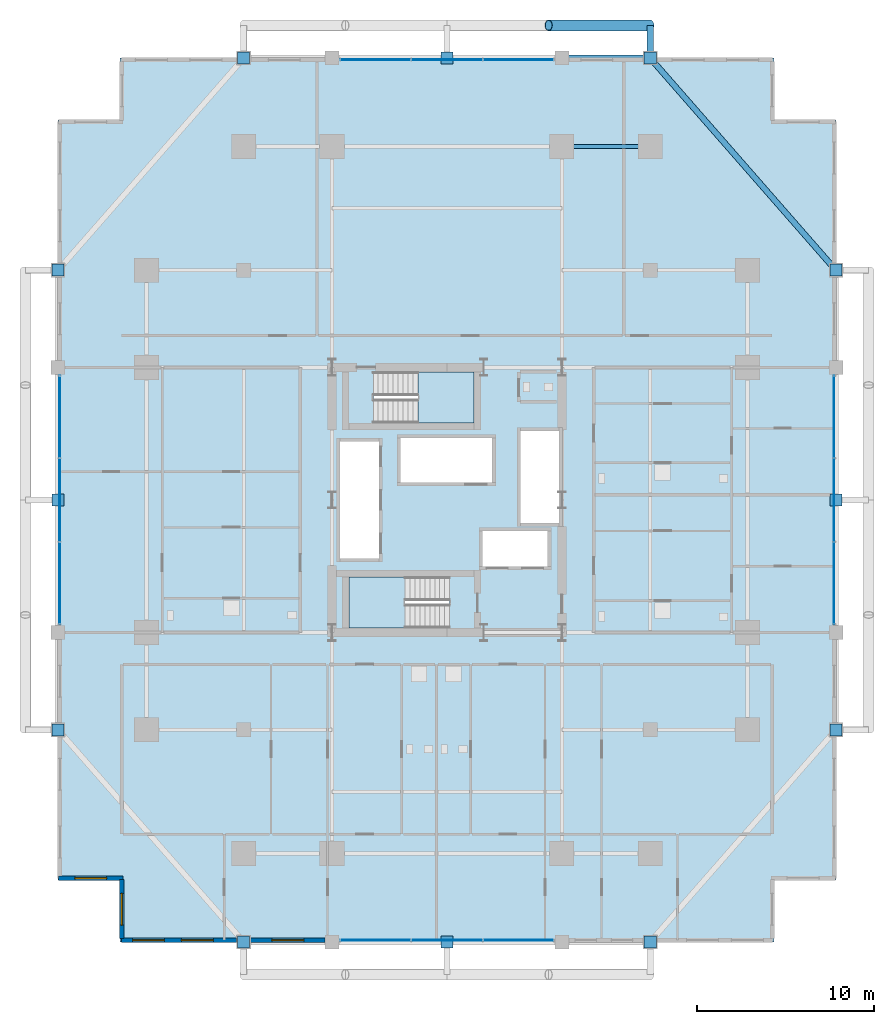
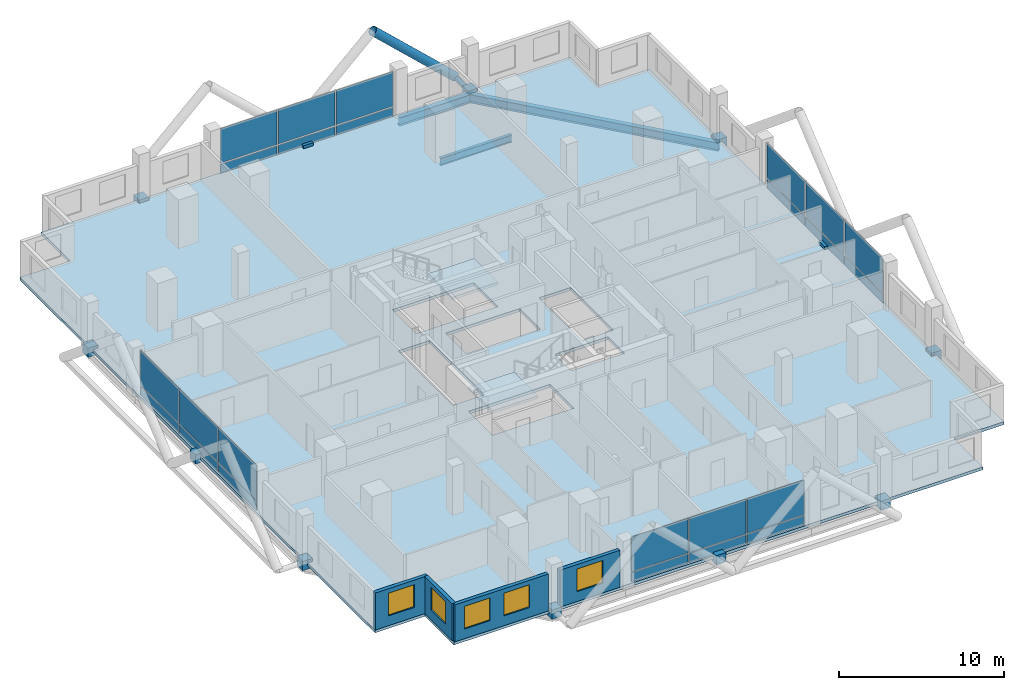
# One storey, part 20 of 27: 36 plates, 5 windows, 4 walls, 3 beams, 3 slabs, 2 members, 5 openings, 6 elements without a shape of their own.
"""IFC4 building model written with IfcOpenShell, lengths in metres."""

from ifc_helpers import new_model, si_unit, direction, frame, frame_2d, origin, origin_2d, place, context, subcontext, project, spatial, polyline, rectangle, hollow_circle, i_section, outline, extrude, material, layer, layer_set, material_profile, profile_set, type_object, element, fill, aggregate, save


model = new_model("IFC4")

# Units and contexts
model_context = context("Model", 3, precision=1e-05, world=origin(), true_north=direction((0.0, 1.0)))
body_context = subcontext(model_context, "Body", "Model", "MODEL_VIEW")
ifc_project = project(units=[si_unit("LENGTHUNIT", "METRE"), si_unit("AREAUNIT", "SQUARE_METRE"), si_unit("VOLUMEUNIT", "CUBIC_METRE"), si_unit("PLANEANGLEUNIT", "RADIAN"), si_unit("MASSUNIT", "GRAM", prefix="KILO")], contexts=[model_context])

# Site, building, storey
site_placement = place(None, origin())
site = spatial("IfcSite", under=ifc_project, at=site_placement, CompositionType="ELEMENT")
building_placement = place(site_placement, origin())
building = spatial("IfcBuilding", under=site, at=building_placement, Name="Barlavira Tower and Art Museum", CompositionType="ELEMENT")
storey_placement = place(building_placement, frame((0.0, 0.0, 72.0)))
storey = spatial("IfcBuildingStorey", under=building, at=storey_placement, Name="L17", CompositionType="ELEMENT", Elevation=72.0)

# Members
ifc_material_1 = material(Name="Steel S355", Category="steel")
ifc_material_profile_1 = material_profile(ifc_material_1, hollow_circle(Radius=0.304931640625, WallThickness=0.028076171875, at=origin_2d()), Name="CHS 610.0x28.0")
ifc_profile_set_1 = profile_set([ifc_material_profile_1], Name="Steel S355")
member_type_1 = type_object("IfcMemberType", Name="Pale-Metal Exoskeleton Diagrid Tube CHS 610x28 Steel S355", PredefinedType="BRACE", material=ifc_profile_set_1)
member_1_placement = place(storey_placement, frame((11.5, 26.85009765625, -0.1201171875), z_axis=(-0.728934650808, 0.0, 0.684583285548), x_axis=(0.0, -1.0, 0.0)))
element("IfcMember", 1, at=member_1_placement, inside=storey, type_object=member_type_1, Name="L17 Exoskeleton Diagrid Tube N", PredefinedType="BRACE", context=body_context, shape_type="SweptSolid", body=[
    extrude(hollow_circle(Radius=0.304931640625, WallThickness=0.028076171875, at=origin_2d()), origin(), (0.0, 0.0, 1.0), 7.88818359375),
])
ifc_material_profile_2 = material_profile(ifc_material_1, hollow_circle(Radius=0.177734375, WallThickness=0.01611328125, at=origin_2d()), Name="CHS 355.6x16.0")
ifc_profile_set_2 = profile_set([ifc_material_profile_2], Name="Steel S355")
member_type_2 = type_object("IfcMemberType", Name="Pale-Metal Exoskeleton Tie Strut CHS 356x16 Steel S355", PredefinedType="STRUT", material=ifc_profile_set_2)
member_2_placement = place(storey_placement, frame((11.5, 26.85009765625, -0.1201171875), z_axis=(0.0, -1.0, 0.0), x_axis=(1.0, 0.0, 0.0)))
element("IfcMember", 2, at=member_2_placement, inside=storey, type_object=member_type_2, Name="L17 Exoskeleton Tie Strut N3", PredefinedType="STRUT", context=body_context, shape_type="SweptSolid", body=[
    extrude(hollow_circle(Radius=0.177734375, WallThickness=0.01611328125, at=origin_2d()), origin(), (0.0, 0.0, 1.0), 1.85009765625),
])

# Beams
ifc_material_profile_3 = material_profile(ifc_material_1, i_section(OverallWidth=0.327880859375, OverallDepth=0.62890625, WebThickness=0.013916015625, FlangeThickness=0.021484375, at=origin_2d()), Name="W610x174.0")
ifc_profile_set_3 = profile_set([ifc_material_profile_3], Name="Steel S355")
beam_type_1 = type_object("IfcBeamType", Name="Perimeter Spandrel Edge Beam W610x174 Steel S355", PredefinedType="SPANDREL", material=ifc_profile_set_3)
beam_1_placement = place(storey_placement, frame((22.0, 13.0, -0.534423828125), z_axis=(-0.658504607869, 0.752576694707, 0.0), x_axis=(-0.752576694707, -0.658504607869, 0.0)))
element("IfcBeam", 3, at=beam_1_placement, inside=storey, type_object=beam_type_1, Name="L17 Spandrel 8", PredefinedType="SPANDREL", context=body_context, shape_type="SweptSolid", body=[
    extrude(i_section(OverallWidth=0.327880859375, OverallDepth=0.62890625, WebThickness=0.013916015625, FlangeThickness=0.021484375, at=origin_2d()), origin(), (0.0, 0.0, 1.0), 15.9453125),
])
beam_2_placement = place(storey_placement, frame((6.5, 25.0, -0.534423828125), z_axis=(1.0, 0.0, 0.0), x_axis=(0.0, 1.0, 0.0)))
element("IfcBeam", 4, at=beam_2_placement, inside=storey, type_object=beam_type_1, Name="L17 Spandrel 9", PredefinedType="SPANDREL", context=body_context, shape_type="SweptSolid", body=[
    extrude(i_section(OverallWidth=0.327880859375, OverallDepth=0.62890625, WebThickness=0.013916015625, FlangeThickness=0.021484375, at=origin_2d()), origin(), (0.0, 0.0, 1.0), 5.0),
])
ifc_material_profile_4 = material_profile(ifc_material_1, i_section(OverallWidth=0.214111328125, OverallDepth=0.549072265625, WebThickness=0.0146484375, FlangeThickness=0.023681640625, at=origin_2d()), Name="W530x138.0")
ifc_profile_set_4 = profile_set([ifc_material_profile_4], Name="Steel S355")
beam_type_2 = type_object("IfcBeamType", Name="Zone 1 Primary Floor Girder W530x138 Steel S355", PredefinedType="BEAM", material=ifc_profile_set_4)
beam_3_placement = place(storey_placement, frame((6.5, 20.0, -0.494384765625), z_axis=(1.0, 0.0, 0.0), x_axis=(0.0, 1.0, 0.0)))
element("IfcBeam", 5, at=beam_3_placement, inside=storey, type_object=beam_type_2, Name="L17 Girder M-N3", PredefinedType="BEAM", context=body_context, shape_type="SweptSolid", body=[
    extrude(i_section(OverallWidth=0.214111328125, OverallDepth=0.549072265625, WebThickness=0.0146484375, FlangeThickness=0.023681640625, at=origin_2d()), origin(), (0.0, 0.0, 1.0), 5.0),
])

# Curtain wall, plates
ifc_material_2 = material(Name="Low-iron coastal laminated glass", Category="glass")
ifc_layer_1 = layer(ifc_material_2, 0.179931640625, Name="Low-iron coastal laminated glass")
ifc_layer_set_1 = layer_set([ifc_layer_1], Name="Low-iron coastal laminated glass")
curtain_wall_type = type_object("IfcCurtainWallType", Name="Pale-Metal Unitised Curtain Wall Zone 1", PredefinedType="NOTDEFINED", material=ifc_layer_set_1)
curtain_wall_1_placement = place(storey_placement, origin())
curtain_wall_1 = element("IfcCurtainWall", 6, at=curtain_wall_1_placement, inside=storey, type_object=curtain_wall_type, Name="L17 Curtain Wall CW1-L17-S-B3", PredefinedType="NOTDEFINED")
ifc_material_3 = material(Name="Pale anodised aluminium", Category="aluminium")
ifc_layer_2 = layer(ifc_material_3, 0.044921875, Name="Pale anodised aluminium")
ifc_layer_set_2 = layer_set([ifc_layer_2], Name="Pale anodised aluminium")
plate_type_1 = type_object("IfcPlateType", Name="Curtain Wall Pale-Metal Spandrel Panel 45", PredefinedType="CURTAIN_PANEL", material=ifc_layer_set_2)
plate_1_placement = place(storey_placement, frame((-4.05322265625, -24.89990234375, 0.0400390625), z_axis=(0.0, 0.0, 1.0), x_axis=(1.0, 0.0, 0.0)))
plate_1 = element("IfcPlate", 7, at=plate_1_placement, type_object=plate_type_1, Name="CW1-L17-S-B3 Spandrel Panel 0", PredefinedType="CURTAIN_PANEL", context=body_context, shape_type="SweptSolid", body=[
    extrude(rectangle(XDim=3.953369140625, YDim=0.044921875, at=origin_2d()), origin(), (0.0, 0.0, 1.0), 0.6640625),
])
plate_2_placement = place(storey_placement, frame((0.0, -24.89990234375, 0.0400390625), z_axis=(0.0, 0.0, 1.0), x_axis=(1.0, 0.0, 0.0)))
plate_2 = element("IfcPlate", 8, at=plate_2_placement, type_object=plate_type_1, Name="CW1-L17-S-B3 Spandrel Panel 1", PredefinedType="CURTAIN_PANEL", context=body_context, shape_type="SweptSolid", body=[
    extrude(rectangle(XDim=3.953369140625, YDim=0.044921875, at=origin_2d()), origin(), (0.0, 0.0, 1.0), 0.6640625),
])
plate_3_placement = place(storey_placement, frame((4.05322265625, -24.89990234375, 0.0400390625), z_axis=(0.0, 0.0, 1.0), x_axis=(1.0, 0.0, 0.0)))
plate_3 = element("IfcPlate", 9, at=plate_3_placement, type_object=plate_type_1, Name="CW1-L17-S-B3 Spandrel Panel 2", PredefinedType="CURTAIN_PANEL", context=body_context, shape_type="SweptSolid", body=[
    extrude(rectangle(XDim=3.953369140625, YDim=0.044921875, at=origin_2d()), origin(), (0.0, 0.0, 1.0), 0.6640625),
])

curtain_wall_2_placement = place(storey_placement, origin())
curtain_wall_2 = element("IfcCurtainWall", 10, at=curtain_wall_2_placement, inside=storey, type_object=curtain_wall_type, Name="L17 Curtain Wall CW1-L17-N-B3", PredefinedType="NOTDEFINED")
plate_4_placement = place(storey_placement, frame((4.05322265625, 24.89990234375, 0.0400390625), z_axis=(0.0, 0.0, 1.0), x_axis=(-1.0, 0.0, 0.0)))
plate_4 = element("IfcPlate", 11, at=plate_4_placement, type_object=plate_type_1, Name="CW1-L17-N-B3 Spandrel Panel 0", PredefinedType="CURTAIN_PANEL", context=body_context, shape_type="SweptSolid", body=[
    extrude(rectangle(XDim=3.953369140625, YDim=0.044921875, at=origin_2d()), origin(), (0.0, 0.0, 1.0), 0.6640625),
])
plate_5_placement = place(storey_placement, frame((0.0, 24.89990234375, 0.0400390625), z_axis=(0.0, 0.0, 1.0), x_axis=(-1.0, 0.0, 0.0)))
plate_5 = element("IfcPlate", 12, at=plate_5_placement, type_object=plate_type_1, Name="CW1-L17-N-B3 Spandrel Panel 1", PredefinedType="CURTAIN_PANEL", context=body_context, shape_type="SweptSolid", body=[
    extrude(rectangle(XDim=3.953369140625, YDim=0.044921875, at=origin_2d()), origin(), (0.0, 0.0, 1.0), 0.6640625),
])
plate_6_placement = place(storey_placement, frame((-4.05322265625, 24.89990234375, 0.0400390625), z_axis=(0.0, 0.0, 1.0), x_axis=(-1.0, 0.0, 0.0)))
plate_6 = element("IfcPlate", 13, at=plate_6_placement, type_object=plate_type_1, Name="CW1-L17-N-B3 Spandrel Panel 2", PredefinedType="CURTAIN_PANEL", context=body_context, shape_type="SweptSolid", body=[
    extrude(rectangle(XDim=3.953369140625, YDim=0.044921875, at=origin_2d()), origin(), (0.0, 0.0, 1.0), 0.6640625),
])

curtain_wall_3_placement = place(storey_placement, origin())
curtain_wall_3 = element("IfcCurtainWall", 14, at=curtain_wall_3_placement, inside=storey, type_object=curtain_wall_type, Name="L17 Curtain Wall CW1-L17-W-B3", PredefinedType="NOTDEFINED")
plate_7_placement = place(storey_placement, frame((-21.89990234375, 4.719970703125, 0.0400390625), z_axis=(0.0, 0.0, 1.0), x_axis=(0.0, -1.0, 0.0)))
plate_7 = element("IfcPlate", 15, at=plate_7_placement, type_object=plate_type_1, Name="CW1-L17-W-B3 Spandrel Panel 0", PredefinedType="CURTAIN_PANEL", context=body_context, shape_type="SweptSolid", body=[
    extrude(rectangle(XDim=4.6201171875, YDim=0.044921875, at=origin_2d()), origin(), (0.0, 0.0, 1.0), 0.6640625),
])
plate_8_placement = place(storey_placement, frame((-21.89990234375, 0.0, 0.0400390625), z_axis=(0.0, 0.0, 1.0), x_axis=(0.0, -1.0, 0.0)))
plate_8 = element("IfcPlate", 16, at=plate_8_placement, type_object=plate_type_1, Name="CW1-L17-W-B3 Spandrel Panel 1", PredefinedType="CURTAIN_PANEL", context=body_context, shape_type="SweptSolid", body=[
    extrude(rectangle(XDim=4.6201171875, YDim=0.044921875, at=origin_2d()), origin(), (0.0, 0.0, 1.0), 0.6640625),
])
plate_9_placement = place(storey_placement, frame((-21.89990234375, -4.719970703125, 0.0400390625), z_axis=(0.0, 0.0, 1.0), x_axis=(0.0, -1.0, 0.0)))
plate_9 = element("IfcPlate", 17, at=plate_9_placement, type_object=plate_type_1, Name="CW1-L17-W-B3 Spandrel Panel 2", PredefinedType="CURTAIN_PANEL", context=body_context, shape_type="SweptSolid", body=[
    extrude(rectangle(XDim=4.6201171875, YDim=0.044921875, at=origin_2d()), origin(), (0.0, 0.0, 1.0), 0.6640625),
])

curtain_wall_4_placement = place(storey_placement, origin())
curtain_wall_4 = element("IfcCurtainWall", 18, at=curtain_wall_4_placement, inside=storey, type_object=curtain_wall_type, Name="L17 Curtain Wall CW1-L17-E-B3", PredefinedType="NOTDEFINED")
plate_10_placement = place(storey_placement, frame((21.89990234375, -4.719970703125, 0.0400390625), z_axis=(0.0, 0.0, 1.0), x_axis=(0.0, 1.0, 0.0)))
plate_10 = element("IfcPlate", 19, at=plate_10_placement, type_object=plate_type_1, Name="CW1-L17-E-B3 Spandrel Panel 0", PredefinedType="CURTAIN_PANEL", context=body_context, shape_type="SweptSolid", body=[
    extrude(rectangle(XDim=4.6201171875, YDim=0.044921875, at=origin_2d()), origin(), (0.0, 0.0, 1.0), 0.6640625),
])
plate_11_placement = place(storey_placement, frame((21.89990234375, 0.0, 0.0400390625), z_axis=(0.0, 0.0, 1.0), x_axis=(0.0, 1.0, 0.0)))
plate_11 = element("IfcPlate", 20, at=plate_11_placement, type_object=plate_type_1, Name="CW1-L17-E-B3 Spandrel Panel 1", PredefinedType="CURTAIN_PANEL", context=body_context, shape_type="SweptSolid", body=[
    extrude(rectangle(XDim=4.6201171875, YDim=0.044921875, at=origin_2d()), origin(), (0.0, 0.0, 1.0), 0.6640625),
])
plate_12_placement = place(storey_placement, frame((21.89990234375, 4.719970703125, 0.0400390625), z_axis=(0.0, 0.0, 1.0), x_axis=(0.0, 1.0, 0.0)))
plate_12 = element("IfcPlate", 21, at=plate_12_placement, type_object=plate_type_1, Name="CW1-L17-E-B3 Spandrel Panel 2", PredefinedType="CURTAIN_PANEL", context=body_context, shape_type="SweptSolid", body=[
    extrude(rectangle(XDim=4.6201171875, YDim=0.044921875, at=origin_2d()), origin(), (0.0, 0.0, 1.0), 0.6640625),
])

# Plate
ifc_layer_3 = layer(ifc_material_2, 0.028076171875, Name="Low-iron coastal laminated glass")
ifc_layer_set_3 = layer_set([ifc_layer_3], Name="Low-iron coastal laminated glass")
plate_type_2 = type_object("IfcPlateType", Name="Curtain Wall Vision Glazing Panel 28", PredefinedType="CURTAIN_PANEL", material=ifc_layer_set_3)
plate_13_placement = place(storey_placement, frame((-4.05322265625, -24.89990234375, 0.7841796875), z_axis=(0.0, 0.0, 1.0), x_axis=(1.0, 0.0, 0.0)))
plate_13 = element("IfcPlate", 22, at=plate_13_placement, type_object=plate_type_2, Name="CW1-L17-S-B3 Vision Glass Panel 0", PredefinedType="CURTAIN_PANEL", context=body_context, shape_type="SweptSolid", body=[
    extrude(rectangle(XDim=3.953369140625, YDim=0.028076171875, at=origin_2d()), origin(), (0.0, 0.0, 1.0), 2.555908203125),
])

plate_14_placement = place(storey_placement, frame((0.0, -24.89990234375, 0.7841796875), z_axis=(0.0, 0.0, 1.0), x_axis=(1.0, 0.0, 0.0)))
plate_14 = element("IfcPlate", 23, at=plate_14_placement, type_object=plate_type_2, Name="CW1-L17-S-B3 Vision Glass Panel 1", PredefinedType="CURTAIN_PANEL", context=body_context, shape_type="SweptSolid", body=[
    extrude(rectangle(XDim=3.953369140625, YDim=0.028076171875, at=origin_2d()), origin(), (0.0, 0.0, 1.0), 2.555908203125),
])

plate_15_placement = place(storey_placement, frame((4.05322265625, -24.89990234375, 0.7841796875), z_axis=(0.0, 0.0, 1.0), x_axis=(1.0, 0.0, 0.0)))
plate_15 = element("IfcPlate", 24, at=plate_15_placement, type_object=plate_type_2, Name="CW1-L17-S-B3 Vision Glass Panel 2", PredefinedType="CURTAIN_PANEL", context=body_context, shape_type="SweptSolid", body=[
    extrude(rectangle(XDim=3.953369140625, YDim=0.028076171875, at=origin_2d()), origin(), (0.0, 0.0, 1.0), 2.555908203125),
])

aggregate(curtain_wall_1, [plate_1, plate_13, plate_2, plate_14, plate_3, plate_15])

plate_16_placement = place(storey_placement, frame((4.05322265625, 24.89990234375, 0.7841796875), z_axis=(0.0, 0.0, 1.0), x_axis=(-1.0, 0.0, 0.0)))
plate_16 = element("IfcPlate", 25, at=plate_16_placement, type_object=plate_type_2, Name="CW1-L17-N-B3 Vision Glass Panel 0", PredefinedType="CURTAIN_PANEL", context=body_context, shape_type="SweptSolid", body=[
    extrude(rectangle(XDim=3.953369140625, YDim=0.028076171875, at=origin_2d()), origin(), (0.0, 0.0, 1.0), 2.555908203125),
])

plate_17_placement = place(storey_placement, frame((0.0, 24.89990234375, 0.7841796875), z_axis=(0.0, 0.0, 1.0), x_axis=(-1.0, 0.0, 0.0)))
plate_17 = element("IfcPlate", 26, at=plate_17_placement, type_object=plate_type_2, Name="CW1-L17-N-B3 Vision Glass Panel 1", PredefinedType="CURTAIN_PANEL", context=body_context, shape_type="SweptSolid", body=[
    extrude(rectangle(XDim=3.953369140625, YDim=0.028076171875, at=origin_2d()), origin(), (0.0, 0.0, 1.0), 2.555908203125),
])

plate_18_placement = place(storey_placement, frame((-4.05322265625, 24.89990234375, 0.7841796875), z_axis=(0.0, 0.0, 1.0), x_axis=(-1.0, 0.0, 0.0)))
plate_18 = element("IfcPlate", 27, at=plate_18_placement, type_object=plate_type_2, Name="CW1-L17-N-B3 Vision Glass Panel 2", PredefinedType="CURTAIN_PANEL", context=body_context, shape_type="SweptSolid", body=[
    extrude(rectangle(XDim=3.953369140625, YDim=0.028076171875, at=origin_2d()), origin(), (0.0, 0.0, 1.0), 2.555908203125),
])

aggregate(curtain_wall_2, [plate_4, plate_16, plate_5, plate_17, plate_6, plate_18])

plate_19_placement = place(storey_placement, frame((-21.89990234375, 4.719970703125, 0.7841796875), z_axis=(0.0, 0.0, 1.0), x_axis=(0.0, -1.0, 0.0)))
plate_19 = element("IfcPlate", 28, at=plate_19_placement, type_object=plate_type_2, Name="CW1-L17-W-B3 Vision Glass Panel 0", PredefinedType="CURTAIN_PANEL", context=body_context, shape_type="SweptSolid", body=[
    extrude(rectangle(XDim=4.6201171875, YDim=0.028076171875, at=origin_2d()), origin(), (0.0, 0.0, 1.0), 2.555908203125),
])

plate_20_placement = place(storey_placement, frame((-21.89990234375, 0.0, 0.7841796875), z_axis=(0.0, 0.0, 1.0), x_axis=(0.0, -1.0, 0.0)))
plate_20 = element("IfcPlate", 29, at=plate_20_placement, type_object=plate_type_2, Name="CW1-L17-W-B3 Vision Glass Panel 1", PredefinedType="CURTAIN_PANEL", context=body_context, shape_type="SweptSolid", body=[
    extrude(rectangle(XDim=4.6201171875, YDim=0.028076171875, at=origin_2d()), origin(), (0.0, 0.0, 1.0), 2.555908203125),
])

plate_21_placement = place(storey_placement, frame((-21.89990234375, -4.719970703125, 0.7841796875), z_axis=(0.0, 0.0, 1.0), x_axis=(0.0, -1.0, 0.0)))
plate_21 = element("IfcPlate", 30, at=plate_21_placement, type_object=plate_type_2, Name="CW1-L17-W-B3 Vision Glass Panel 2", PredefinedType="CURTAIN_PANEL", context=body_context, shape_type="SweptSolid", body=[
    extrude(rectangle(XDim=4.6201171875, YDim=0.028076171875, at=origin_2d()), origin(), (0.0, 0.0, 1.0), 2.555908203125),
])

aggregate(curtain_wall_3, [plate_7, plate_19, plate_8, plate_20, plate_9, plate_21])

plate_22_placement = place(storey_placement, frame((21.89990234375, -4.719970703125, 0.7841796875), z_axis=(0.0, 0.0, 1.0), x_axis=(0.0, 1.0, 0.0)))
plate_22 = element("IfcPlate", 31, at=plate_22_placement, type_object=plate_type_2, Name="CW1-L17-E-B3 Vision Glass Panel 0", PredefinedType="CURTAIN_PANEL", context=body_context, shape_type="SweptSolid", body=[
    extrude(rectangle(XDim=4.6201171875, YDim=0.028076171875, at=origin_2d()), origin(), (0.0, 0.0, 1.0), 2.555908203125),
])

plate_23_placement = place(storey_placement, frame((21.89990234375, 0.0, 0.7841796875), z_axis=(0.0, 0.0, 1.0), x_axis=(0.0, 1.0, 0.0)))
plate_23 = element("IfcPlate", 32, at=plate_23_placement, type_object=plate_type_2, Name="CW1-L17-E-B3 Vision Glass Panel 1", PredefinedType="CURTAIN_PANEL", context=body_context, shape_type="SweptSolid", body=[
    extrude(rectangle(XDim=4.6201171875, YDim=0.028076171875, at=origin_2d()), origin(), (0.0, 0.0, 1.0), 2.555908203125),
])

plate_24_placement = place(storey_placement, frame((21.89990234375, 4.719970703125, 0.7841796875), z_axis=(0.0, 0.0, 1.0), x_axis=(0.0, 1.0, 0.0)))
plate_24 = element("IfcPlate", 33, at=plate_24_placement, type_object=plate_type_2, Name="CW1-L17-E-B3 Vision Glass Panel 2", PredefinedType="CURTAIN_PANEL", context=body_context, shape_type="SweptSolid", body=[
    extrude(rectangle(XDim=4.6201171875, YDim=0.028076171875, at=origin_2d()), origin(), (0.0, 0.0, 1.0), 2.555908203125),
])

aggregate(curtain_wall_4, [plate_10, plate_22, plate_11, plate_23, plate_12, plate_24])

# Plates
ifc_layer_4 = layer(ifc_material_1, 0.679931640625, Name="Steel S355")
ifc_layer_set_4 = layer_set([ifc_layer_4], Name="Steel S355")
plate_type_3 = type_object("IfcPlateType", Name="Exoskeleton Tie-Back Solid Cap Plate Assembly Type 5 Steel S355", PredefinedType="USERDEFINED", material=ifc_layer_set_4)
for number, where, z_axis, x_axis, name in (
    (34, (-11.5, -25.0, -0.4599609375), (0.0, 0.0, 1.0), (1.0, 0.0, 0.0), "Slab Edge Tie Cap Plate S1 ND-L17-0146"),
    (35, (0.0, -25.0, -0.4599609375), (0.0, 0.0, 1.0), (1.0, 0.0, 0.0), "Slab Edge Tie Cap Plate S2 ND-L17-0147"),
    (36, (11.5, -25.0, -0.4599609375), (0.0, 0.0, 1.0), (1.0, 0.0, 0.0), "Slab Edge Tie Cap Plate S3 ND-L17-0148"),
    (37, (-11.5, 25.0, -0.4599609375), (0.0, 0.0, 1.0), (1.0, 0.0, 0.0), "Slab Edge Tie Cap Plate N1 ND-L17-0154"),
    (38, (0.0, 25.0, -0.4599609375), (0.0, 0.0, 1.0), (1.0, 0.0, 0.0), "Slab Edge Tie Cap Plate N2 ND-L17-0155"),
    (39, (11.5, 25.0, -0.4599609375), (0.0, 0.0, 1.0), (1.0, 0.0, 0.0), "Slab Edge Tie Cap Plate N3 ND-L17-0156"),
    (40, (-22.0, -13.0, -0.4599609375), (0.0, 0.0, 1.0), (1.0, 0.0, 0.0), "Slab Edge Tie Cap Plate W1 ND-L17-0162"),
    (41, (-22.0, 0.0, -0.4599609375), (0.0, 0.0, 1.0), (1.0, 0.0, 0.0), "Slab Edge Tie Cap Plate W2 ND-L17-0163"),
    (42, (-22.0, 13.0, -0.4599609375), (0.0, 0.0, 1.0), (1.0, 0.0, 0.0), "Slab Edge Tie Cap Plate W3 ND-L17-0164"),
    (43, (22.0, -13.0, -0.4599609375), (0.0, 0.0, 1.0), (1.0, 0.0, 0.0), "Slab Edge Tie Cap Plate E1 ND-L17-0170"),
    (44, (22.0, 0.0, -0.4599609375), (0.0, 0.0, 1.0), (1.0, 0.0, 0.0), "Slab Edge Tie Cap Plate E2 ND-L17-0171"),
    (45, (22.0, 13.0, -0.4599609375), (0.0, 0.0, 1.0), (1.0, 0.0, 0.0), "Slab Edge Tie Cap Plate E3 ND-L17-0172"),
):
    element("IfcPlate", number, at=place(storey_placement, frame(where, z_axis=z_axis, x_axis=x_axis)), inside=storey, type_object=plate_type_3, Name=name, ObjectType="FLANGE_PLATE", PredefinedType="USERDEFINED", context=body_context, shape_type="SweptSolid", body=[
        extrude(rectangle(XDim=0.679931640625, YDim=0.679931640625, at=origin_2d()), origin(), (0.0, 0.0, 1.0), 0.679931640625),
    ])

# Stair, slab
ifc_material_4 = material(Name="Concrete C45", Category="concrete")
stair_type_1 = type_object("IfcStairType", Name="Tower North Dog-Leg Exit Stair Assembly Concrete C45", PredefinedType="TWO_QUARTER_TURN_STAIR", material=ifc_material_4)
stair_1_placement = place(storey_placement, origin())
stair_1 = element("IfcStair", 46, at=stair_1_placement, inside=storey, type_object=stair_type_1, Name="L17 Tower North Exit Stair ST-T2", PredefinedType="TWO_QUARTER_TURN_STAIR")
ifc_layer_5 = layer(ifc_material_4, 0.199951171875, Name="Concrete C45")
ifc_layer_set_5 = layer_set([ifc_layer_5], Name="Concrete C45")
slab_type_1 = type_object("IfcSlabType", Name="Tower North Dog-Leg Exit Stair Half-Landing Slab 200 Concrete C45", PredefinedType="LANDING", material=ifc_layer_set_5)
slab_1_placement = place(storey_placement, frame((0.0, 0.0, 1.60009765625)))
slab_1 = element("IfcSlab", 47, at=slab_1_placement, type_object=slab_type_1, Name="ST-T2 landing 1", PredefinedType="LANDING", context=body_context, shape_type="SweptSolid", body=[
    extrude(outline(polyline([(-1.64990234375, 4.35009765625), (1.530029296875, 4.35009765625), (1.530029296875, 7.25), (-1.64990234375, 7.25), (-1.64990234375, 4.35009765625)])), origin(), (0.0, 0.0, 1.0), 0.199951171875),
])
aggregate(stair_1, [slab_1])

stair_type_2 = type_object("IfcStairType", Name="Tower South Dog-Leg Exit Stair Assembly Concrete C45", PredefinedType="TWO_QUARTER_TURN_STAIR", material=ifc_material_4)
stair_2_placement = place(storey_placement, origin())
stair_2 = element("IfcStair", 48, at=stair_2_placement, inside=storey, type_object=stair_type_2, Name="L17 Tower South Exit Stair ST-T1", PredefinedType="TWO_QUARTER_TURN_STAIR")
ifc_layer_6 = layer(ifc_material_4, 0.199951171875, Name="Concrete C45")
ifc_layer_set_6 = layer_set([ifc_layer_6], Name="Concrete C45")
slab_type_2 = type_object("IfcSlabType", Name="Tower South Dog-Leg Exit Stair Half-Landing Slab 200 Concrete C45", PredefinedType="LANDING", material=ifc_layer_set_6)
slab_2_placement = place(storey_placement, frame((0.0, 0.0, 1.60009765625)))
slab_2 = element("IfcSlab", 49, at=slab_2_placement, type_object=slab_type_2, Name="ST-T1 landing 1", PredefinedType="LANDING", context=body_context, shape_type="SweptSolid", body=[
    extrude(outline(polyline([(-2.3701171875, -4.35009765625), (-5.550048828125, -4.35009765625), (-5.550048828125, -7.25), (-2.3701171875, -7.25), (-2.3701171875, -4.35009765625)])), origin(), (0.0, 0.0, 1.0), 0.199951171875),
])
aggregate(stair_2, [slab_2])

# Slab
ifc_material_5 = material(Name="Concrete C50", Category="concrete")
ifc_layer_7 = layer(ifc_material_5, 0.219970703125, Name="Concrete C50")
ifc_layer_set_7 = layer_set([ifc_layer_7], Name="Concrete C50")
slab_type_3 = type_object("IfcSlabType", Name="Zone 1 Residential Composite Slab 220 Concrete C50", PredefinedType="FLOOR", material=ifc_layer_set_7)
slab_3_placement = place(storey_placement, frame((0.0, 0.0, -0.219970703125)))
element("IfcSlab", 50, at=slab_3_placement, inside=storey, type_object=slab_type_3, Name="L17 Tower Floor Slab", PredefinedType="FLOOR", context=body_context, shape_type="SweptSolid", body=[
    extrude(outline(polyline([(-18.5, -25.0), (18.5, -25.0), (18.5, -21.5), (22.0, -21.5), (22.0, 21.5), (18.5, 21.5), (18.5, 25.0), (-18.5, 25.0), (-18.5, 21.5), (-22.0, 21.5), (-22.0, -21.5), (-18.5, -21.5), (-18.5, -25.0)]), holes=[polyline([(0.14990234375, -4.35009765625), (-5.550048828125, -4.35009765625), (-5.550048828125, -7.25), (0.14990234375, -7.25), (0.14990234375, -4.35009765625)]), polyline([(-4.169921875, 4.35009765625), (1.530029296875, 4.35009765625), (1.530029296875, 7.25), (-4.169921875, 7.25), (-4.169921875, 4.35009765625)]), polyline([(-6.050048828125, -3.31005859375), (-3.85009765625, -3.31005859375), (-3.85009765625, 3.31005859375), (-6.050048828125, 3.31005859375), (-6.050048828125, -3.31005859375)]), polyline([(4.14990234375, -1.2900390625), (6.35009765625, -1.2900390625), (6.35009765625, 3.889892578125), (4.14990234375, 3.889892578125), (4.14990234375, -1.2900390625)]), polyline([(-2.6201171875, 1.0), (2.56005859375, 1.0), (2.56005859375, 3.5), (-2.6201171875, 3.5), (-2.6201171875, 1.0)]), polyline([(2.0, -3.75), (5.699951171875, -3.75), (5.699951171875, -1.75), (2.0, -1.75), (2.0, -3.75)])]), origin(), (0.0, 0.0, 1.0), 0.219970703125),
])

# Wall, openings, windows
ifc_material_6 = material(Name="Precast concrete C40", Category="concrete")
ifc_layer_8 = layer(ifc_material_6, 0.25, Name="Precast concrete C40")
ifc_layer_set_8 = layer_set([ifc_layer_8], Name="Precast concrete C40")
wall_type = type_object("IfcWallType", Name="Notched Corner Spandrel Wall 250 Precast Concrete C40", PredefinedType="SOLIDWALL", material=ifc_layer_set_8)
wall_1_placement = place(storey_placement, frame((-18.425048828125, -24.89990234375, 0.0), z_axis=(0.0, 0.0, 1.0), x_axis=(1.0, 0.0, 0.0)))
wall_1 = element("IfcWall", 51, at=wall_1_placement, inside=storey, type_object=wall_type, Name="L17 Coastal Facade Pier Wall CW1-L17-S-1", PredefinedType="SOLIDWALL", context=body_context, shape_type="SweptSolid", body=[
    extrude(rectangle(XDim=6.530029296875, YDim=0.25, at=frame_2d((3.26513671875, 0.0))), origin(), (0.0, 0.0, 1.0), 2.736083984375),
])
opening_1_placement = place(wall_1_placement, frame((0.64111328125, 0.0, 0.719970703125)))
opening_1 = element("IfcOpeningElement", 52, at=opening_1_placement, cuts=wall_1, Name="Opening WN-01", PredefinedType="OPENING", context=body_context, shape_type="SweptSolid", body=[
    extrude(rectangle(XDim=1.800048828125, YDim=1.679931640625, at=frame_2d((0.89990234375, 0.83984375))), frame((0.0, 0.135009765625, 0.0), z_axis=(0.0, -1.0, 0.0), x_axis=(1.0, 0.0, 0.0)), (0.0, 0.0, 1.0), 0.27001953125),
])
opening_2_placement = place(wall_1_placement, frame((3.404052734375, 0.0, 0.719970703125)))
opening_2 = element("IfcOpeningElement", 53, at=opening_2_placement, cuts=wall_1, Name="Opening WN-01", PredefinedType="OPENING", context=body_context, shape_type="SweptSolid", body=[
    extrude(rectangle(XDim=1.800048828125, YDim=1.679931640625, at=frame_2d((0.89990234375, 0.83984375))), frame((0.0, 0.135009765625, 0.0), z_axis=(0.0, -1.0, 0.0), x_axis=(1.0, 0.0, 0.0)), (0.0, 0.0, 1.0), 0.27001953125),
])
window_type = type_object("IfcWindowType", Name="Recessed Notch Corner Punch Window 1800x1680", PartitioningType="SINGLE_PANEL", PredefinedType="WINDOW", material=ifc_material_2)
window_1_placement = place(opening_1_placement, origin())
window_1 = element("IfcWindow", 54, at=window_1_placement, inside=storey, type_object=window_type, Name="L17 Punched Facade Window EWP-CW1-L17-S-1-1", OverallHeight=1.679931640625, OverallWidth=1.800048828125, PartitioningType="SINGLE_PANEL", PredefinedType="WINDOW", context=body_context, shape_type="SweptSolid", body=[
    extrude(rectangle(XDim=1.800048828125, YDim=1.679931640625, at=frame_2d((0.89990234375, 0.83984375))), frame((0.0, 0.030029296875, 0.0), z_axis=(0.0, -1.0, 0.0), x_axis=(1.0, 0.0, 0.0)), (0.0, 0.0, 1.0), 0.06005859375),
])
fill(opening_1, window_1)
window_2_placement = place(opening_2_placement, origin())
window_2 = element("IfcWindow", 55, at=window_2_placement, inside=storey, type_object=window_type, Name="L17 Punched Facade Window EWP-CW1-L17-S-1-2", OverallHeight=1.679931640625, OverallWidth=1.800048828125, PartitioningType="SINGLE_PANEL", PredefinedType="WINDOW", context=body_context, shape_type="SweptSolid", body=[
    extrude(rectangle(XDim=1.800048828125, YDim=1.679931640625, at=frame_2d((0.89990234375, 0.83984375))), frame((0.0, 0.030029296875, 0.0), z_axis=(0.0, -1.0, 0.0), x_axis=(1.0, 0.0, 0.0)), (0.0, 0.0, 1.0), 0.06005859375),
])
fill(opening_2, window_2)

# Wall, opening, window
wall_2_placement = place(storey_placement, frame((-11.10498046875, -24.89990234375, 0.0), z_axis=(0.0, 0.0, 1.0), x_axis=(1.0, 0.0, 0.0)))
wall_2 = element("IfcWall", 56, at=wall_2_placement, inside=storey, type_object=wall_type, Name="L17 Coastal Facade Pier Wall CW1-L17-S-2", PredefinedType="SOLIDWALL", context=body_context, shape_type="SweptSolid", body=[
    extrude(rectangle(XDim=4.2099609375, YDim=0.25, at=frame_2d((2.10498046875, 0.0))), origin(), (0.0, 0.0, 1.0), 2.736083984375),
])
opening_3_placement = place(wall_2_placement, frame((1.205078125, 0.0, 0.719970703125)))
opening_3 = element("IfcOpeningElement", 57, at=opening_3_placement, cuts=wall_2, Name="Opening WN-01", PredefinedType="OPENING", context=body_context, shape_type="SweptSolid", body=[
    extrude(rectangle(XDim=1.800048828125, YDim=1.679931640625, at=frame_2d((0.89990234375, 0.83984375))), frame((0.0, 0.135009765625, 0.0), z_axis=(0.0, -1.0, 0.0), x_axis=(1.0, 0.0, 0.0)), (0.0, 0.0, 1.0), 0.27001953125),
])
window_3_placement = place(opening_3_placement, origin())
window_3 = element("IfcWindow", 58, at=window_3_placement, inside=storey, type_object=window_type, Name="L17 Punched Facade Window EWP-CW1-L17-S-2-1", OverallHeight=1.679931640625, OverallWidth=1.800048828125, PartitioningType="SINGLE_PANEL", PredefinedType="WINDOW", context=body_context, shape_type="SweptSolid", body=[
    extrude(rectangle(XDim=1.800048828125, YDim=1.679931640625, at=frame_2d((0.89990234375, 0.83984375))), frame((0.0, 0.030029296875, 0.0), z_axis=(0.0, -1.0, 0.0), x_axis=(1.0, 0.0, 0.0)), (0.0, 0.0, 1.0), 0.06005859375),
])
fill(opening_3, window_3)

wall_3_placement = place(storey_placement, frame((-21.97998046875, -21.39990234375, 0.0), z_axis=(0.0, 0.0, 1.0), x_axis=(1.0, 0.0, 0.0)))
wall_3 = element("IfcWall", 59, at=wall_3_placement, inside=storey, type_object=wall_type, Name="L17 Notch Corner Wall SW1", PredefinedType="SOLIDWALL", context=body_context, shape_type="SweptSolid", body=[
    extrude(rectangle(XDim=3.659912109375, YDim=0.25, at=frame_2d((1.830078125, 0.0))), origin(), (0.0, 0.0, 1.0), 2.736083984375),
])
opening_4_placement = place(wall_3_placement, frame((0.929931640625, 0.0, 0.719970703125)))
opening_4 = element("IfcOpeningElement", 60, at=opening_4_placement, cuts=wall_3, Name="Opening WN-01", PredefinedType="OPENING", context=body_context, shape_type="SweptSolid", body=[
    extrude(rectangle(XDim=1.800048828125, YDim=1.679931640625, at=frame_2d((0.89990234375, 0.83984375))), frame((0.0, 0.135009765625, 0.0), z_axis=(0.0, -1.0, 0.0), x_axis=(1.0, 0.0, 0.0)), (0.0, 0.0, 1.0), 0.27001953125),
])
window_4_placement = place(opening_4_placement, origin())
window_4 = element("IfcWindow", 61, at=window_4_placement, inside=storey, type_object=window_type, Name="L17 Punched Facade Window EW-NTC-L17-SW1-1", OverallHeight=1.679931640625, OverallWidth=1.800048828125, PartitioningType="SINGLE_PANEL", PredefinedType="WINDOW", context=body_context, shape_type="SweptSolid", body=[
    extrude(rectangle(XDim=1.800048828125, YDim=1.679931640625, at=frame_2d((0.89990234375, 0.83984375))), frame((0.0, 0.030029296875, 0.0), z_axis=(0.0, -1.0, 0.0), x_axis=(1.0, 0.0, 0.0)), (0.0, 0.0, 1.0), 0.06005859375),
])
fill(opening_4, window_4)

wall_4_placement = place(storey_placement, frame((-18.39990234375, -21.47998046875, 0.0), z_axis=(0.0, 0.0, 1.0), x_axis=(0.0, -1.0, 0.0)))
wall_4 = element("IfcWall", 62, at=wall_4_placement, inside=storey, type_object=wall_type, Name="L17 Notch Corner Wall SW2", PredefinedType="SOLIDWALL", context=body_context, shape_type="SweptSolid", body=[
    extrude(rectangle(XDim=3.340087890625, YDim=0.25, at=frame_2d((1.669921875, 0.0))), origin(), (0.0, 0.0, 1.0), 2.736083984375),
])
opening_5_placement = place(wall_4_placement, frame((0.77001953125, 0.0, 0.719970703125)))
opening_5 = element("IfcOpeningElement", 63, at=opening_5_placement, cuts=wall_4, Name="Opening WN-01", PredefinedType="OPENING", context=body_context, shape_type="SweptSolid", body=[
    extrude(rectangle(XDim=1.800048828125, YDim=1.679931640625, at=frame_2d((0.89990234375, 0.83984375))), frame((0.0, 0.135009765625, 0.0), z_axis=(0.0, -1.0, 0.0), x_axis=(1.0, 0.0, 0.0)), (0.0, 0.0, 1.0), 0.27001953125),
])
window_5_placement = place(opening_5_placement, origin())
window_5 = element("IfcWindow", 64, at=window_5_placement, inside=storey, type_object=window_type, Name="L17 Punched Facade Window EW-NTC-L17-SW2-1", OverallHeight=1.679931640625, OverallWidth=1.800048828125, PartitioningType="SINGLE_PANEL", PredefinedType="WINDOW", context=body_context, shape_type="SweptSolid", body=[
    extrude(rectangle(XDim=1.800048828125, YDim=1.679931640625, at=frame_2d((0.89990234375, 0.83984375))), frame((0.0, 0.030029296875, 0.0), z_axis=(0.0, -1.0, 0.0), x_axis=(1.0, 0.0, 0.0)), (0.0, 0.0, 1.0), 0.06005859375),
])
fill(opening_5, window_5)

save(model, "model.ifc")
